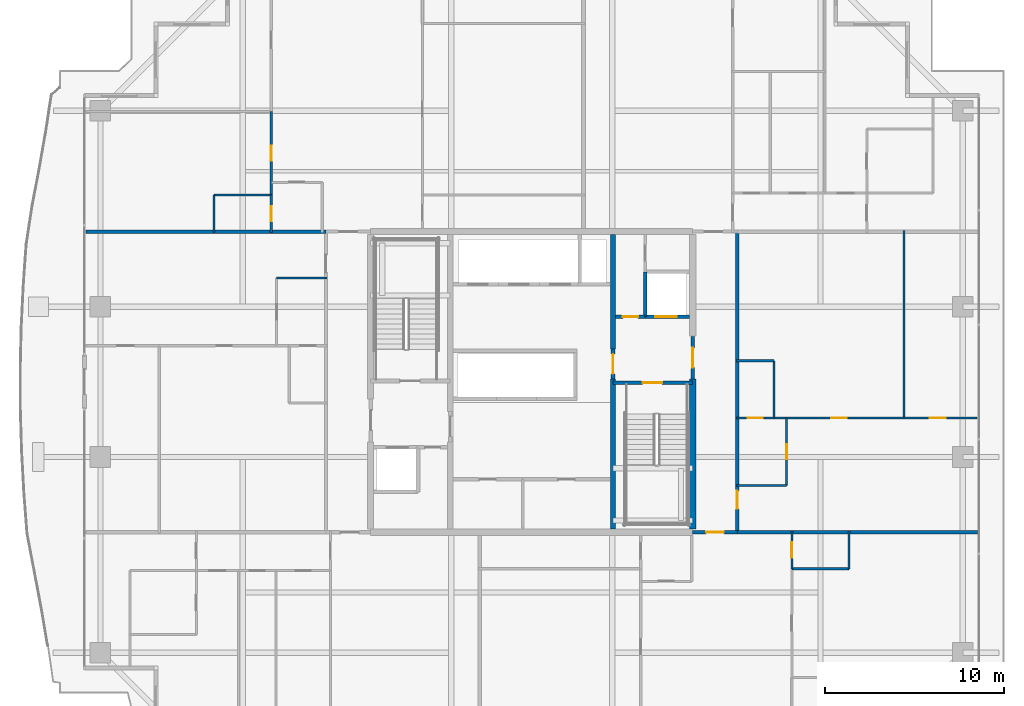
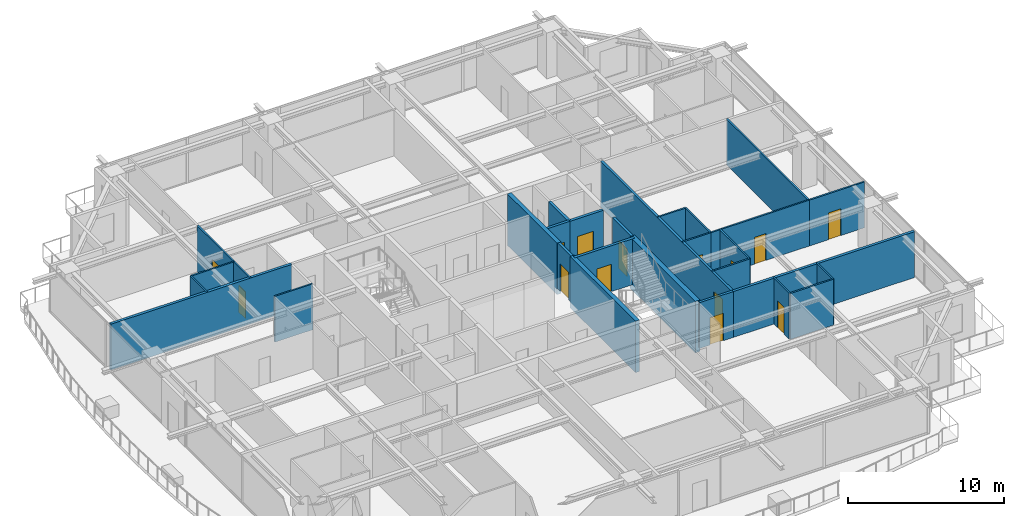
# One storey, part 26 of 35: 29 walls, 14 doors, 14 openings.
"""IFC4 building model written with IfcOpenShell, lengths in metres."""

from ifc_helpers import new_model, si_unit, direction, frame, frame_2d, origin, place, context, subcontext, project, spatial, rectangle, extrude, source, transform, mapped, material, layer, layer_set, type_object, element, fill, save


model = new_model("IFC4")

# Units and contexts
model_context = context("Model", 3, precision=1e-05, world=origin(), true_north=direction((0.0, 1.0)))
body_context = subcontext(model_context, "Body", "Model", "MODEL_VIEW")
ifc_project = project(units=[si_unit("LENGTHUNIT", "METRE"), si_unit("AREAUNIT", "SQUARE_METRE"), si_unit("VOLUMEUNIT", "CUBIC_METRE"), si_unit("PLANEANGLEUNIT", "RADIAN"), si_unit("MASSUNIT", "GRAM", prefix="KILO")], contexts=[model_context])

# Site, building, storey
site_placement = place(None, origin())
site = spatial("IfcSite", under=ifc_project, at=site_placement, CompositionType="ELEMENT")
building_placement = place(site_placement, origin())
building = spatial("IfcBuilding", under=site, at=building_placement, Name="Serunith Strait Residences", CompositionType="ELEMENT")
storey_placement = place(building_placement, frame((0.0, 0.0, 210.449951171875)))
storey = spatial("IfcBuildingStorey", under=building, at=storey_placement, Name="L52", CompositionType="ELEMENT", Elevation=210.449951171875)

# Wall, opening, door
ifc_material_1 = material(Name="Fire-rated acoustic gypsum partition")
ifc_layer_1 = layer(ifc_material_1, 0.179931640625, Name="Fire-rated acoustic gypsum partition")
ifc_layer_set_1 = layer_set([ifc_layer_1], Name="Fire-rated acoustic gypsum partition")
wall_type_1 = type_object("IfcWallType", Name="IW-CORR-180", PredefinedType="PARTITIONING", material=ifc_layer_set_1)
wall_1_placement = place(storey_placement, frame((41.402099609375, 16.800048828125, 0.0), z_axis=(0.0, 0.0, 1.0), x_axis=(1.0, 0.0, 0.0)))
wall_1 = element("IfcWall", 1, at=wall_1_placement, inside=storey, type_object=wall_type_1, Name="L52 Partition Wall 025", PredefinedType="PARTITIONING", context=body_context, shape_type="SweptSolid", body=[
    extrude(rectangle(XDim=2.495849609375, YDim=0.179931640625, at=frame_2d((1.248046875, 0.0))), origin(), (0.0, 0.0, 1.0), 3.590087890625),
])
opening_1_placement = place(wall_1_placement, frame((0.748046875, 0.0, 0.0)))
opening_1 = element("IfcOpeningElement", 2, at=opening_1_placement, cuts=wall_1, Name="Opening D-APT1000", PredefinedType="OPENING", context=body_context, shape_type="SweptSolid", body=[
    extrude(rectangle(XDim=1.0, YDim=2.14990234375, at=frame_2d((0.5, 1.074951171875))), frame((0.0, 0.10009765625, 0.0), z_axis=(0.0, -1.0, 0.0), x_axis=(1.0, 0.0, 0.0)), (0.0, 0.0, 1.0), 0.199951171875),
])
ifc_material_2 = material(Name="Solid timber engineered fire door", Category="wood")
door_type_1 = type_object("IfcDoorType", Name="ID-APT-1000", OperationType="NOTDEFINED", PredefinedType="DOOR", material=ifc_material_2)
shared_shape_1 = source(origin(), body_context, "Body", "SweptSolid", [
    extrude(rectangle(XDim=1.0, YDim=2.14990234375, at=frame_2d((0.5, 1.074951171875))), frame((0.0, 0.02490234375, 0.0), z_axis=(0.0, -1.0, 0.0), x_axis=(1.0, 0.0, 0.0)), (0.0, 0.0, 1.0), 0.050048828125),
])
door_1_placement = place(opening_1_placement, origin())
door_1 = element("IfcDoor", 3, at=door_1_placement, inside=storey, type_object=door_type_1, Name="L52 Unit 02 Entrance Door", OperationType="SINGLE_SWING_RIGHT", OverallHeight=2.14990234375, OverallWidth=1.0, PredefinedType="DOOR", context=body_context, shape_type="MappedRepresentation", body=[
    mapped(shared_shape_1, transform((0.0, 0.0, 0.0), scale=1.0)),
])
fill(opening_1, door_1)

wall_2_placement = place(storey_placement, frame((43.89990234375, 16.800048828125, 0.0), z_axis=(0.0, 0.0, 1.0), x_axis=(0.0, 1.0, 0.0)))
wall_2 = element("IfcWall", 4, at=wall_2_placement, inside=storey, type_object=wall_type_1, Name="L52 Partition Wall 027", PredefinedType="PARTITIONING", context=body_context, shape_type="SweptSolid", body=[
    extrude(rectangle(XDim=16.800048828125, YDim=0.179931640625, at=frame_2d((8.39990234375, 0.0))), origin(), (0.0, 0.0, 1.0), 3.590087890625),
])
opening_2_placement = place(wall_2_placement, frame((1.300048828125, 0.0, 0.0)))
opening_2 = element("IfcOpeningElement", 5, at=opening_2_placement, cuts=wall_2, Name="Opening D-APT1000", PredefinedType="OPENING", context=body_context, shape_type="SweptSolid", body=[
    extrude(rectangle(XDim=1.0, YDim=2.14990234375, at=frame_2d((0.5, 1.074951171875))), frame((0.0, 0.10009765625, 0.0), z_axis=(0.0, -1.0, 0.0), x_axis=(1.0, 0.0, 0.0)), (0.0, 0.0, 1.0), 0.199951171875),
])
door_2_placement = place(opening_2_placement, origin())
door_2 = element("IfcDoor", 6, at=door_2_placement, inside=storey, type_object=door_type_1, Name="L52 Unit 06 Entrance Door", OperationType="SINGLE_SWING_RIGHT", OverallHeight=2.14990234375, OverallWidth=1.0, PredefinedType="DOOR", context=body_context, shape_type="MappedRepresentation", body=[
    mapped(shared_shape_1, transform((0.0, 0.0, 0.0), scale=1.0)),
])
fill(opening_2, door_2)

# Walls
ifc_material_3 = material(Name="Lightweight steel-stud gypsum partition", Category="steel")
ifc_layer_2 = layer(ifc_material_3, 0.1201171875, Name="Lightweight steel-stud gypsum partition")
ifc_layer_set_2 = layer_set([ifc_layer_2], Name="Lightweight steel-stud gypsum partition")
wall_type_2 = type_object("IfcWallType", Name="IW-PART-120", PredefinedType="PARTITIONING", material=ifc_layer_set_2)
wall_3_placement = place(storey_placement, frame((46.949951171875, 14.75, 0.0), z_axis=(0.0, 0.0, 1.0), x_axis=(1.0, 0.0, 0.0)))
element("IfcWall", 7, at=wall_3_placement, inside=storey, type_object=wall_type_2, Name="L52 Partition Wall 051", PredefinedType="PARTITIONING", context=body_context, shape_type="SweptSolid", body=[
    extrude(rectangle(XDim=3.199951171875, YDim=0.1201171875, at=frame_2d((1.60009765625, 0.0))), origin(), (0.0, 0.0, 1.0), 3.590087890625),
])
wall_4_placement = place(storey_placement, frame((50.14990234375, 14.75, 0.0), z_axis=(0.0, 0.0, 1.0), x_axis=(0.0, 1.0, 0.0)))
element("IfcWall", 8, at=wall_4_placement, inside=storey, type_object=wall_type_2, Name="L52 Partition Wall 052", PredefinedType="PARTITIONING", context=body_context, shape_type="SweptSolid", body=[
    extrude(rectangle(XDim=2.110107421875, YDim=0.1201171875, at=frame_2d((1.05517578125, 0.0))), origin(), (0.0, 0.0, 1.0), 3.590087890625),
])

# Wall, opening, door
wall_5_placement = place(storey_placement, frame((46.949951171875, 14.751953125, 0.0), z_axis=(0.0, 0.0, 1.0), x_axis=(0.0, 1.0, 0.0)))
wall_5 = element("IfcWall", 9, at=wall_5_placement, inside=storey, type_object=wall_type_2, Name="L52 Partition Wall 054", PredefinedType="PARTITIONING", context=body_context, shape_type="SweptSolid", body=[
    extrude(rectangle(XDim=2.108154296875, YDim=0.1201171875, at=frame_2d((1.05419921875, 0.0))), origin(), (0.0, 0.0, 1.0), 3.590087890625),
])
opening_3_placement = place(wall_5_placement, frame((0.62890625, 0.0, 0.0)))
opening_3 = element("IfcOpeningElement", 10, at=opening_3_placement, cuts=wall_5, Name="Opening D-BTH850", PredefinedType="OPENING", context=body_context, shape_type="SweptSolid", body=[
    extrude(rectangle(XDim=0.85009765625, YDim=2.10009765625, at=frame_2d((0.425048828125, 1.050048828125))), frame((0.0, 0.070068359375, 0.0), z_axis=(0.0, -1.0, 0.0), x_axis=(1.0, 0.0, 0.0)), (0.0, 0.0, 1.0), 0.14013671875),
])
ifc_material_4 = material(Name="Moisture-resistant timber bathroom door", Category="wood")
door_type_2 = type_object("IfcDoorType", Name="ID-BATH-850", OperationType="NOTDEFINED", PredefinedType="DOOR", material=ifc_material_4)
shared_shape_2 = source(origin(), body_context, "Body", "SweptSolid", [
    extrude(rectangle(XDim=0.85009765625, YDim=2.10009765625, at=frame_2d((0.425048828125, 1.050048828125))), frame((0.0, 0.02490234375, 0.0), z_axis=(0.0, -1.0, 0.0), x_axis=(1.0, 0.0, 0.0)), (0.0, 0.0, 1.0), 0.050048828125),
])
door_3_placement = place(opening_3_placement, origin())
door_3 = element("IfcDoor", 11, at=door_3_placement, inside=storey, type_object=door_type_2, Name="L52 Bathroom 5202 Door", OperationType="SINGLE_SWING_RIGHT", OverallHeight=2.10009765625, OverallWidth=0.85009765625, PredefinedType="DOOR", context=body_context, shape_type="MappedRepresentation", body=[
    mapped(shared_shape_2, transform((0.0, 0.0, 0.0), scale=1.0)),
])
fill(opening_3, door_3)

# Walls
wall_6_placement = place(storey_placement, frame((14.64990234375, 35.64990234375, 0.0), z_axis=(0.0, 0.0, 1.0), x_axis=(1.0, 0.0, 0.0)))
element("IfcWall", 12, at=wall_6_placement, inside=storey, type_object=wall_type_2, Name="L52 Partition Wall 059", PredefinedType="PARTITIONING", context=body_context, shape_type="SweptSolid", body=[
    extrude(rectangle(XDim=3.2001953125, YDim=0.1201171875, at=frame_2d((1.60009765625, 0.0))), origin(), (0.0, 0.0, 1.0), 3.590087890625),
])
wall_7_placement = place(storey_placement, frame((14.64990234375, 35.64990234375, 0.0), z_axis=(0.0, 0.0, 1.0), x_axis=(0.0, -1.0, 0.0)))
element("IfcWall", 13, at=wall_7_placement, inside=storey, type_object=wall_type_2, Name="L52 Partition Wall 060", PredefinedType="PARTITIONING", context=body_context, shape_type="SweptSolid", body=[
    extrude(rectangle(XDim=2.10986328125, YDim=0.1201171875, at=frame_2d((1.054931640625, 0.0))), origin(), (0.0, 0.0, 1.0), 3.590087890625),
])

# Wall, opening, door
wall_8_placement = place(storey_placement, frame((17.85009765625, 40.303955078125, 0.0), z_axis=(0.0, 0.0, 1.0), x_axis=(0.0, -1.0, 0.0)))
wall_8 = element("IfcWall", 14, at=wall_8_placement, inside=storey, type_object=wall_type_2, Name="L52 Partition Wall 061", PredefinedType="PARTITIONING", context=body_context, shape_type="SweptSolid", body=[
    extrude(rectangle(XDim=4.654052734375, YDim=0.1201171875, at=frame_2d((2.3271484375, 0.0))), origin(), (0.0, 0.0, 1.0), 3.590087890625),
])
opening_4_placement = place(wall_8_placement, frame((1.902099609375, 0.0, 0.0)))
opening_4 = element("IfcOpeningElement", 15, at=opening_4_placement, cuts=wall_8, Name="Opening D-RM850", PredefinedType="OPENING", context=body_context, shape_type="SweptSolid", body=[
    extrude(rectangle(XDim=0.85009765625, YDim=2.10009765625, at=frame_2d((0.425048828125, 1.050048828125))), frame((0.0, 0.070068359375, 0.0), z_axis=(0.0, -1.0, 0.0), x_axis=(1.0, 0.0, 0.0)), (0.0, 0.0, 1.0), 0.14013671875),
])
ifc_material_5 = material(Name="Engineered timber flush study and kitchen door", Category="wood")
door_type_3 = type_object("IfcDoorType", Name="ID-ROOM-850", OperationType="NOTDEFINED", PredefinedType="DOOR", material=ifc_material_5)
door_4_placement = place(opening_4_placement, origin())
door_4 = element("IfcDoor", 16, at=door_4_placement, inside=storey, type_object=door_type_3, Name="L52 Walk-in Wardrobe 5203 Door", OperationType="SINGLE_SWING_LEFT", OverallHeight=2.10009765625, OverallWidth=0.85009765625, PredefinedType="DOOR", context=body_context, shape_type="MappedRepresentation", body=[
    mapped(shared_shape_2, transform((0.0, 0.0, 0.0), scale=1.0)),
])
fill(opening_4, door_4)

wall_9_placement = place(storey_placement, frame((17.85009765625, 35.64794921875, 0.0), z_axis=(0.0, 0.0, 1.0), x_axis=(0.0, -1.0, 0.0)))
wall_9 = element("IfcWall", 17, at=wall_9_placement, inside=storey, type_object=wall_type_2, Name="L52 Partition Wall 062", PredefinedType="PARTITIONING", context=body_context, shape_type="SweptSolid", body=[
    extrude(rectangle(XDim=2.10791015625, YDim=0.1201171875, at=frame_2d((1.053955078125, 0.0))), origin(), (0.0, 0.0, 1.0), 3.590087890625),
])
opening_5_placement = place(wall_9_placement, frame((0.62890625, 0.0, 0.0)))
opening_5 = element("IfcOpeningElement", 18, at=opening_5_placement, cuts=wall_9, Name="Opening D-BTH850", PredefinedType="OPENING", context=body_context, shape_type="SweptSolid", body=[
    extrude(rectangle(XDim=0.85009765625, YDim=2.10009765625, at=frame_2d((0.425048828125, 1.050048828125))), frame((0.0, 0.070068359375, 0.0), z_axis=(0.0, -1.0, 0.0), x_axis=(1.0, 0.0, 0.0)), (0.0, 0.0, 1.0), 0.14013671875),
])
door_5_placement = place(opening_5_placement, origin())
door_5 = element("IfcDoor", 19, at=door_5_placement, inside=storey, type_object=door_type_2, Name="L52 Bathroom 5203 Door", OperationType="SINGLE_SWING_RIGHT", OverallHeight=2.10009765625, OverallWidth=0.85009765625, PredefinedType="DOOR", context=body_context, shape_type="MappedRepresentation", body=[
    mapped(shared_shape_2, transform((0.0, 0.0, 0.0), scale=1.0)),
])
fill(opening_5, door_5)

# Wall
wall_10_placement = place(storey_placement, frame((18.14990234375, 31.0, 0.0), z_axis=(0.0, 0.0, 1.0), x_axis=(1.0, 0.0, 0.0)))
element("IfcWall", 20, at=wall_10_placement, inside=storey, type_object=wall_type_2, Name="L52 Partition Wall 083", PredefinedType="PARTITIONING", context=body_context, shape_type="SweptSolid", body=[
    extrude(rectangle(XDim=2.81005859375, YDim=0.1201171875, at=frame_2d((1.405029296875, 0.0))), origin(), (0.0, 0.0, 1.0), 3.590087890625),
])

# Wall, opening, door
wall_11_placement = place(storey_placement, frame((46.64990234375, 19.39990234375, 0.0), z_axis=(0.0, 0.0, 1.0), x_axis=(0.0, 1.0, 0.0)))
wall_11 = element("IfcWall", 21, at=wall_11_placement, inside=storey, type_object=wall_type_2, Name="L52 Partition Wall 090", PredefinedType="PARTITIONING", context=body_context, shape_type="SweptSolid", body=[
    extrude(rectangle(XDim=3.780029296875, YDim=0.1201171875, at=frame_2d((1.89013671875, 0.0))), origin(), (0.0, 0.0, 1.0), 3.590087890625),
])
opening_6_placement = place(wall_11_placement, frame((1.465087890625, 0.0, 0.0)))
opening_6 = element("IfcOpeningElement", 22, at=opening_6_placement, cuts=wall_11, Name="Opening D-RM850", PredefinedType="OPENING", context=body_context, shape_type="SweptSolid", body=[
    extrude(rectangle(XDim=0.85009765625, YDim=2.10009765625, at=frame_2d((0.425048828125, 1.050048828125))), frame((0.0, 0.070068359375, 0.0), z_axis=(0.0, -1.0, 0.0), x_axis=(1.0, 0.0, 0.0)), (0.0, 0.0, 1.0), 0.14013671875),
])
door_6_placement = place(opening_6_placement, origin())
door_6 = element("IfcDoor", 23, at=door_6_placement, inside=storey, type_object=door_type_3, Name="L52 Kitchen 5206 Door", OperationType="SINGLE_SWING_LEFT", OverallHeight=2.10009765625, OverallWidth=0.85009765625, PredefinedType="DOOR", context=body_context, shape_type="MappedRepresentation", body=[
    mapped(shared_shape_2, transform((0.0, 0.0, 0.0), scale=1.0)),
])
fill(opening_6, door_6)

# Wall
wall_12_placement = place(storey_placement, frame((46.64990234375, 19.39990234375, 0.0), z_axis=(0.0, 0.0, 1.0), x_axis=(-1.0, 0.0, 0.0)))
element("IfcWall", 24, at=wall_12_placement, inside=storey, type_object=wall_type_2, Name="L52 Partition Wall 091", PredefinedType="PARTITIONING", context=body_context, shape_type="SweptSolid", body=[
    extrude(rectangle(XDim=2.809814453125, YDim=0.1201171875, at=frame_2d((1.40478515625, 0.0))), origin(), (0.0, 0.0, 1.0), 3.590087890625),
])

# Wall, opening, door
wall_13_placement = place(storey_placement, frame((57.304931640625, 23.179931640625, 0.0), z_axis=(0.0, 0.0, 1.0), x_axis=(-1.0, 0.0, 0.0)))
wall_13 = element("IfcWall", 25, at=wall_13_placement, inside=storey, type_object=wall_type_2, Name="L52 Partition Wall 092", PredefinedType="PARTITIONING", context=body_context, shape_type="SweptSolid", body=[
    extrude(rectangle(XDim=4.0888671875, YDim=0.1201171875, at=frame_2d((2.04443359375, 0.0))), origin(), (0.0, 0.0, 1.0), 3.590087890625),
])
opening_7_placement = place(wall_13_placement, frame((1.75390625, 0.0, 0.0)))
opening_7 = element("IfcOpeningElement", 26, at=opening_7_placement, cuts=wall_13, Name="Opening D-RM900", PredefinedType="OPENING", context=body_context, shape_type="SweptSolid", body=[
    extrude(rectangle(XDim=0.89990234375, YDim=2.10009765625, at=frame_2d((0.449951171875, 1.050048828125))), frame((0.0, 0.070068359375, 0.0), z_axis=(0.0, -1.0, 0.0), x_axis=(1.0, 0.0, 0.0)), (0.0, 0.0, 1.0), 0.14013671875),
])
ifc_material_6 = material(Name="Engineered timber flush bedroom door", Category="wood")
door_type_4 = type_object("IfcDoorType", Name="ID-ROOM-900", OperationType="NOTDEFINED", PredefinedType="DOOR", material=ifc_material_6)
shared_shape_3 = source(origin(), body_context, "Body", "SweptSolid", [
    extrude(rectangle(XDim=0.89990234375, YDim=2.10009765625, at=frame_2d((0.449951171875, 1.050048828125))), frame((0.0, 0.02490234375, 0.0), z_axis=(0.0, -1.0, 0.0), x_axis=(1.0, 0.0, 0.0)), (0.0, 0.0, 1.0), 0.050048828125),
])
door_7_placement = place(opening_7_placement, origin())
door_7 = element("IfcDoor", 27, at=door_7_placement, inside=storey, type_object=door_type_4, Name="L52 Master Bedroom 1 5206 Door", OperationType="SINGLE_SWING_RIGHT", OverallHeight=2.10009765625, OverallWidth=0.89990234375, PredefinedType="DOOR", context=body_context, shape_type="MappedRepresentation", body=[
    mapped(shared_shape_3, transform((0.0, 0.0, 0.0), scale=1.0)),
])
fill(opening_7, door_7)

# Walls
wall_14_placement = place(storey_placement, frame((53.216064453125, 23.179931640625, 0.0), z_axis=(0.0, 0.0, 1.0), x_axis=(0.0, 1.0, 0.0)))
element("IfcWall", 28, at=wall_14_placement, inside=storey, type_object=wall_type_2, Name="L52 Partition Wall 093", PredefinedType="PARTITIONING", context=body_context, shape_type="SweptSolid", body=[
    extrude(rectangle(XDim=10.47998046875, YDim=0.1201171875, at=frame_2d((5.239990234375, 0.0))), origin(), (0.0, 0.0, 1.0), 3.590087890625),
])
wall_15_placement = place(storey_placement, frame((45.949951171875, 23.179931640625, 0.0), z_axis=(0.0, 0.0, 1.0), x_axis=(0.0, 1.0, 0.0)))
element("IfcWall", 29, at=wall_15_placement, inside=storey, type_object=wall_type_2, Name="L52 Partition Wall 094", PredefinedType="PARTITIONING", context=body_context, shape_type="SweptSolid", body=[
    extrude(rectangle(XDim=3.199951171875, YDim=0.1201171875, at=frame_2d((1.60009765625, 0.0))), origin(), (0.0, 0.0, 1.0), 3.590087890625),
])
wall_16_placement = place(storey_placement, frame((45.949951171875, 26.3798828125, 0.0), z_axis=(0.0, 0.0, 1.0), x_axis=(-1.0, 0.0, 0.0)))
element("IfcWall", 30, at=wall_16_placement, inside=storey, type_object=wall_type_2, Name="L52 Partition Wall 095", PredefinedType="PARTITIONING", context=body_context, shape_type="SweptSolid", body=[
    extrude(rectangle(XDim=2.10986328125, YDim=0.1201171875, at=frame_2d((1.054931640625, 0.0))), origin(), (0.0, 0.0, 1.0), 3.590087890625),
])

# Wall, opening, door
wall_17_placement = place(storey_placement, frame((53.214111328125, 23.179931640625, 0.0), z_axis=(0.0, 0.0, 1.0), x_axis=(-1.0, 0.0, 0.0)))
wall_17 = element("IfcWall", 31, at=wall_17_placement, inside=storey, type_object=wall_type_2, Name="L52 Partition Wall 096", PredefinedType="PARTITIONING", context=body_context, shape_type="SweptSolid", body=[
    extrude(rectangle(XDim=7.26416015625, YDim=0.1201171875, at=frame_2d((3.632080078125, 0.0))), origin(), (0.0, 0.0, 1.0), 3.590087890625),
])
opening_8_placement = place(wall_17_placement, frame((3.20703125, 0.0, 0.0)))
opening_8 = element("IfcOpeningElement", 32, at=opening_8_placement, cuts=wall_17, Name="Opening D-RM850", PredefinedType="OPENING", context=body_context, shape_type="SweptSolid", body=[
    extrude(rectangle(XDim=0.85009765625, YDim=2.10009765625, at=frame_2d((0.425048828125, 1.050048828125))), frame((0.0, 0.070068359375, 0.0), z_axis=(0.0, -1.0, 0.0), x_axis=(1.0, 0.0, 0.0)), (0.0, 0.0, 1.0), 0.14013671875),
])
door_8_placement = place(opening_8_placement, origin())
door_8 = element("IfcDoor", 33, at=door_8_placement, inside=storey, type_object=door_type_3, Name="L52 Walk-in Wardrobe 5206 Door", OperationType="SINGLE_SWING_LEFT", OverallHeight=2.10009765625, OverallWidth=0.85009765625, PredefinedType="DOOR", context=body_context, shape_type="MappedRepresentation", body=[
    mapped(shared_shape_2, transform((0.0, 0.0, 0.0), scale=1.0)),
])
fill(opening_8, door_8)

wall_18_placement = place(storey_placement, frame((45.947998046875, 23.179931640625, 0.0), z_axis=(0.0, 0.0, 1.0), x_axis=(-1.0, 0.0, 0.0)))
wall_18 = element("IfcWall", 34, at=wall_18_placement, inside=storey, type_object=wall_type_2, Name="L52 Partition Wall 097", PredefinedType="PARTITIONING", context=body_context, shape_type="SweptSolid", body=[
    extrude(rectangle(XDim=2.10791015625, YDim=0.1201171875, at=frame_2d((1.053955078125, 0.0))), origin(), (0.0, 0.0, 1.0), 3.590087890625),
])
opening_9_placement = place(wall_18_placement, frame((0.62890625, 0.0, 0.0)))
opening_9 = element("IfcOpeningElement", 35, at=opening_9_placement, cuts=wall_18, Name="Opening D-BTH850", PredefinedType="OPENING", context=body_context, shape_type="SweptSolid", body=[
    extrude(rectangle(XDim=0.85009765625, YDim=2.10009765625, at=frame_2d((0.425048828125, 1.050048828125))), frame((0.0, 0.070068359375, 0.0), z_axis=(0.0, -1.0, 0.0), x_axis=(1.0, 0.0, 0.0)), (0.0, 0.0, 1.0), 0.14013671875),
])
door_9_placement = place(opening_9_placement, origin())
door_9 = element("IfcDoor", 36, at=door_9_placement, inside=storey, type_object=door_type_2, Name="L52 Bathroom 5206 Door", OperationType="SINGLE_SWING_RIGHT", OverallHeight=2.10009765625, OverallWidth=0.85009765625, PredefinedType="DOOR", context=body_context, shape_type="MappedRepresentation", body=[
    mapped(shared_shape_2, transform((0.0, 0.0, 0.0), scale=1.0)),
])
fill(opening_9, door_9)

# Walls
ifc_material_7 = material(Name="Twin-stud acoustic gypsum board partition")
ifc_layer_3 = layer(ifc_material_7, 0.199951171875, Name="Twin-stud acoustic gypsum board partition")
ifc_layer_set_3 = layer_set([ifc_layer_3], Name="Twin-stud acoustic gypsum board partition")
wall_type_3 = type_object("IfcWallType", Name="IW-PARTY-200", PredefinedType="PARTITIONING", material=ifc_layer_set_3)
wall_19_placement = place(storey_placement, frame((43.89990234375, 16.800048828125, 0.0), z_axis=(0.0, 0.0, 1.0), x_axis=(1.0, 0.0, 0.0)))
element("IfcWall", 37, at=wall_19_placement, inside=storey, type_object=wall_type_3, Name="L52 Partition Wall 019", PredefinedType="PARTITIONING", context=body_context, shape_type="SweptSolid", body=[
    extrude(rectangle(XDim=13.418212890625, YDim=0.199951171875, at=frame_2d((6.708984375, 0.0))), origin(), (0.0, 0.0, 1.0), 3.590087890625),
])
wall_20_placement = place(storey_placement, frame((7.48193359375, 33.60009765625, 0.0), z_axis=(0.0, 0.0, 1.0), x_axis=(1.0, 0.0, 0.0)))
element("IfcWall", 38, at=wall_20_placement, inside=storey, type_object=wall_type_3, Name="L52 Partition Wall 020", PredefinedType="PARTITIONING", context=body_context, shape_type="SweptSolid", body=[
    extrude(rectangle(XDim=13.41796875, YDim=0.199951171875, at=frame_2d((6.708984375, 0.0))), origin(), (0.0, 0.0, 1.0), 3.590087890625),
])

# Wall, opening, door
ifc_material_8 = material(Name="Autoclaved aerated concrete blockwork", Category="masonry")
ifc_layer_4 = layer(ifc_material_8, 0.199951171875, Name="Autoclaved aerated concrete blockwork")
ifc_layer_set_4 = layer_set([ifc_layer_4], Name="Autoclaved aerated concrete blockwork")
wall_type_4 = type_object("IfcWallType", Name="IW-SHAFT-200", PredefinedType="STANDARD", material=ifc_layer_set_4)
wall_21_placement = place(storey_placement, frame((36.949951171875, 25.14990234375, 0.0), z_axis=(0.0, 0.0, 1.0), x_axis=(1.0, 0.0, 0.0)))
wall_21 = element("IfcWall", 39, at=wall_21_placement, inside=storey, type_object=wall_type_4, Name="L52 ST-2 North Shaft Wall", PredefinedType="STANDARD", context=body_context, shape_type="SweptSolid", body=[
    extrude(rectangle(XDim=4.449951171875, YDim=0.199951171875, at=frame_2d((2.22509765625, 0.0))), origin(), (0.0, 0.0, 1.0), 3.590087890625),
])
opening_10_placement = place(wall_21_placement, frame((1.64990234375, 0.0, 0.0)))
opening_10 = element("IfcOpeningElement", 40, at=opening_10_placement, cuts=wall_21, Name="Opening FD-1100", PredefinedType="OPENING", context=body_context, shape_type="SweptSolid", body=[
    extrude(rectangle(XDim=1.10009765625, YDim=2.14990234375, at=frame_2d((0.550048828125, 1.074951171875))), frame((0.0, 0.10986328125, 0.0), z_axis=(0.0, -1.0, 0.0), x_axis=(1.0, 0.0, 0.0)), (0.0, 0.0, 1.0), 0.219970703125),
])
ifc_material_9 = material(Name="Galvanised steel fire door leaf", Category="steel")
door_type_5 = type_object("IfcDoorType", Name="FD-STAIR-1100", OperationType="NOTDEFINED", PredefinedType="DOOR", material=ifc_material_9)
shared_shape_4 = source(origin(), body_context, "Body", "SweptSolid", [
    extrude(rectangle(XDim=1.10009765625, YDim=2.14990234375, at=frame_2d((0.550048828125, 1.074951171875))), frame((0.0, 0.02490234375, 0.0), z_axis=(0.0, -1.0, 0.0), x_axis=(1.0, 0.0, 0.0)), (0.0, 0.0, 1.0), 0.050048828125),
])
door_10_placement = place(opening_10_placement, origin())
door_10 = element("IfcDoor", 41, at=door_10_placement, inside=storey, type_object=door_type_5, Name="L52 ST-2 Escape Stair Door", OperationType="SINGLE_SWING_LEFT", OverallHeight=2.14990234375, OverallWidth=1.10009765625, PredefinedType="DOOR", context=body_context, shape_type="MappedRepresentation", body=[
    mapped(shared_shape_4, transform((0.0, 0.0, 0.0), scale=1.0)),
])
fill(opening_10, door_10)

wall_22_placement = place(storey_placement, frame((38.75, 28.85009765625, 0.0), z_axis=(0.0, 0.0, 1.0), x_axis=(1.0, 0.0, 0.0)))
wall_22 = element("IfcWall", 42, at=wall_22_placement, inside=storey, type_object=wall_type_4, Name="L52 FL-2 South Shaft Wall", PredefinedType="STANDARD", context=body_context, shape_type="SweptSolid", body=[
    extrude(rectangle(XDim=2.47509765625, YDim=0.199951171875, at=frame_2d((1.237548828125, 0.0))), origin(), (0.0, 0.0, 1.0), 3.590087890625),
])
opening_11_placement = place(wall_22_placement, frame((0.550048828125, 0.0, 0.0)))
opening_11 = element("IfcOpeningElement", 43, at=opening_11_placement, cuts=wall_22, Name="Opening LD-FF1200", PredefinedType="OPENING", context=body_context, shape_type="SweptSolid", body=[
    extrude(rectangle(XDim=1.199951171875, YDim=2.199951171875, at=frame_2d((0.60009765625, 1.10009765625))), frame((0.0, 0.10986328125, 0.0), z_axis=(0.0, -1.0, 0.0), x_axis=(1.0, 0.0, 0.0)), (0.0, 0.0, 1.0), 0.219970703125),
])
ifc_material_10 = material(Name="Brushed stainless steel landing door", Category="steel")
door_type_6 = type_object("IfcDoorType", Name="LD-FF-1200", OperationType="DOUBLE_DOOR_SLIDING", PredefinedType="DOOR", material=ifc_material_10)
shared_shape_5 = source(origin(), body_context, "Body", "SweptSolid", [
    extrude(rectangle(XDim=1.199951171875, YDim=2.199951171875, at=frame_2d((0.60009765625, 1.10009765625))), frame((0.0, 0.02490234375, 0.0), z_axis=(0.0, -1.0, 0.0), x_axis=(1.0, 0.0, 0.0)), (0.0, 0.0, 1.0), 0.050048828125),
])
door_11_placement = place(opening_11_placement, origin())
door_11 = element("IfcDoor", 44, at=door_11_placement, inside=storey, type_object=door_type_6, Name="L52 FL-2 Landing Door", OperationType="DOUBLE_DOOR_SLIDING", OverallHeight=2.199951171875, OverallWidth=1.199951171875, PredefinedType="DOOR", context=body_context, shape_type="MappedRepresentation", body=[
    mapped(shared_shape_5, transform((0.0, 0.0, 0.0), scale=1.0)),
])
fill(opening_11, door_11)

# Wall
wall_23_placement = place(storey_placement, frame((38.75, 28.85009765625, 0.0), z_axis=(0.0, 0.0, 1.0), x_axis=(0.0, 1.0, 0.0)))
element("IfcWall", 45, at=wall_23_placement, inside=storey, type_object=wall_type_4, Name="L52 Partition Wall 004", PredefinedType="STANDARD", context=body_context, shape_type="SweptSolid", body=[
    extrude(rectangle(XDim=2.5, YDim=0.199951171875, at=frame_2d((1.25, 0.0))), origin(), (0.0, 0.0, 1.0), 3.590087890625),
])

# Wall, opening, door
wall_24_placement = place(storey_placement, frame((37.10009765625, 28.85009765625, 0.0), z_axis=(0.0, 0.0, 1.0), x_axis=(1.0, 0.0, 0.0)))
wall_24 = element("IfcWall", 46, at=wall_24_placement, inside=storey, type_object=wall_type_4, Name="L52 Partition Wall 006", PredefinedType="STANDARD", context=body_context, shape_type="SweptSolid", body=[
    extrude(rectangle(XDim=1.64794921875, YDim=0.199951171875, at=frame_2d((0.823974609375, 0.0))), origin(), (0.0, 0.0, 1.0), 3.590087890625),
])
opening_12_placement = place(wall_24_placement, frame((0.39892578125, 0.0, 0.0)))
opening_12 = element("IfcOpeningElement", 47, at=opening_12_placement, cuts=wall_24, Name="Opening FD-850", PredefinedType="OPENING", context=body_context, shape_type="SweptSolid", body=[
    extrude(rectangle(XDim=0.85009765625, YDim=2.10009765625, at=frame_2d((0.425048828125, 1.050048828125))), frame((0.0, 0.10986328125, 0.0), z_axis=(0.0, -1.0, 0.0), x_axis=(1.0, 0.0, 0.0)), (0.0, 0.0, 1.0), 0.219970703125),
])
ifc_material_11 = material(Name="Powder-coated steel service closet door", Category="steel")
door_type_7 = type_object("IfcDoorType", Name="FD-BOH-850", OperationType="NOTDEFINED", PredefinedType="DOOR", material=ifc_material_11)
door_12_placement = place(opening_12_placement, origin())
door_12 = element("IfcDoor", 48, at=door_12_placement, inside=storey, type_object=door_type_7, Name="L52 North-East Core Service Door", OperationType="SINGLE_SWING_LEFT", OverallHeight=2.10009765625, OverallWidth=0.85009765625, PredefinedType="DOOR", context=body_context, shape_type="MappedRepresentation", body=[
    mapped(shared_shape_2, transform((0.0, 0.0, 0.0), scale=1.0)),
])
fill(opening_12, door_12)

wall_25_placement = place(storey_placement, frame((41.39990234375, 25.35205078125, 0.0), z_axis=(0.0, 0.0, 1.0), x_axis=(0.0, 1.0, 0.0)))
wall_25 = element("IfcWall", 49, at=wall_25_placement, inside=storey, type_object=wall_type_4, Name="L52 Partition Wall 008", PredefinedType="STANDARD", context=body_context, shape_type="SweptSolid", body=[
    extrude(rectangle(XDim=2.39599609375, YDim=0.199951171875, at=frame_2d((1.197998046875, 0.0))), origin(), (0.0, 0.0, 1.0), 3.590087890625),
])
opening_13_placement = place(wall_25_placement, frame((0.64794921875, 0.0, 0.0)))
opening_13 = element("IfcOpeningElement", 50, at=opening_13_placement, cuts=wall_25, Name="Opening FD-FFL", PredefinedType="OPENING", context=body_context, shape_type="SweptSolid", body=[
    extrude(rectangle(XDim=1.10009765625, YDim=2.14990234375, at=frame_2d((0.550048828125, 1.074951171875))), frame((0.0, 0.10986328125, 0.0), z_axis=(0.0, -1.0, 0.0), x_axis=(1.0, 0.0, 0.0)), (0.0, 0.0, 1.0), 0.219970703125),
])
ifc_material_12 = material(Name="Glazed steel smoke-lobby fire door", Category="steel")
door_type_8 = type_object("IfcDoorType", Name="FD-FFL-1100", OperationType="NOTDEFINED", PredefinedType="DOOR", material=ifc_material_12)
door_13_placement = place(opening_13_placement, origin())
door_13 = element("IfcDoor", 51, at=door_13_placement, inside=storey, type_object=door_type_8, Name="L52 FFL-2 Corridor Fire Door", OperationType="SINGLE_SWING_LEFT", OverallHeight=2.14990234375, OverallWidth=1.10009765625, PredefinedType="DOOR", context=body_context, shape_type="MappedRepresentation", body=[
    mapped(shared_shape_4, transform((0.0, 0.0, 0.0), scale=1.0)),
])
fill(opening_13, door_13)

wall_26_placement = place(storey_placement, frame((36.949951171875, 25.35205078125, 0.0), z_axis=(0.0, 0.0, 1.0), x_axis=(0.0, 1.0, 0.0)))
wall_26 = element("IfcWall", 52, at=wall_26_placement, inside=storey, type_object=wall_type_4, Name="L52 Partition Wall 010", PredefinedType="STANDARD", context=body_context, shape_type="SweptSolid", body=[
    extrude(rectangle(XDim=1.696044921875, YDim=0.199951171875, at=frame_2d((0.84814453125, 0.0))), origin(), (0.0, 0.0, 1.0), 3.590087890625),
])
opening_14_placement = place(wall_26_placement, frame((0.298095703125, 0.0, 0.0)))
opening_14 = element("IfcOpeningElement", 53, at=opening_14_placement, cuts=wall_26, Name="Opening FD-FFL", PredefinedType="OPENING", context=body_context, shape_type="SweptSolid", body=[
    extrude(rectangle(XDim=1.10009765625, YDim=2.14990234375, at=frame_2d((0.550048828125, 1.074951171875))), frame((0.0, 0.10986328125, 0.0), z_axis=(0.0, -1.0, 0.0), x_axis=(1.0, 0.0, 0.0)), (0.0, 0.0, 1.0), 0.219970703125),
])
door_14_placement = place(opening_14_placement, origin())
door_14 = element("IfcDoor", 54, at=door_14_placement, inside=storey, type_object=door_type_8, Name="L52 FFL-2 Lift Lobby Door", OperationType="SINGLE_SWING_LEFT", OverallHeight=2.14990234375, OverallWidth=1.10009765625, PredefinedType="DOOR", context=body_context, shape_type="MappedRepresentation", body=[
    mapped(shared_shape_4, transform((0.0, 0.0, 0.0), scale=1.0)),
])
fill(opening_14, door_14)

# Walls
ifc_material_13 = material(Name="Concrete C60/75", Category="concrete")
ifc_layer_5 = layer(ifc_material_13, 0.300048828125, Name="Concrete C60/75")
ifc_layer_set_5 = layer_set([ifc_layer_5], Name="Concrete C60/75")
wall_type_5 = type_object("IfcWallType", Name="SW-300-C60", PredefinedType="SHEAR", material=ifc_layer_set_5)
wall_27_placement = place(storey_placement, frame((36.949951171875, 16.97509765625, -0.43994140625), z_axis=(0.0, 0.0, 1.0), x_axis=(0.0, 1.0, 0.0)))
element("IfcWall", 55, at=wall_27_placement, inside=storey, type_object=wall_type_5, Name="L52 Core Internal East Web South Pier", PredefinedType="SHEAR", context=body_context, shape_type="SweptSolid", body=[
    extrude(rectangle(XDim=8.375, YDim=0.300048828125, at=frame_2d((4.1875, 0.0))), origin(), (0.0, 0.0, 1.0), 4.028076171875),
])
wall_28_placement = place(storey_placement, frame((36.949951171875, 27.050048828125, -0.43994140625), z_axis=(0.0, 0.0, 1.0), x_axis=(0.0, 1.0, 0.0)))
element("IfcWall", 56, at=wall_28_placement, inside=storey, type_object=wall_type_5, Name="L52 Core Internal East Web North Pier", PredefinedType="SHEAR", context=body_context, shape_type="SweptSolid", body=[
    extrude(rectangle(XDim=6.375, YDim=0.300048828125, at=frame_2d((3.1875, 0.0))), origin(), (0.0, 0.0, 1.0), 4.028076171875),
])
ifc_layer_6 = layer(ifc_material_13, 0.35009765625, Name="Concrete C60/75")
ifc_layer_set_6 = layer_set([ifc_layer_6], Name="Concrete C60/75")
wall_type_6 = type_object("IfcWallType", Name="SW-350-C60", PredefinedType="SHEAR", material=ifc_layer_set_6)
wall_29_placement = place(storey_placement, frame((41.39990234375, 16.97509765625, -0.43994140625), z_axis=(0.0, 0.0, 1.0), x_axis=(0.0, 1.0, 0.0)))
element("IfcWall", 57, at=wall_29_placement, inside=storey, type_object=wall_type_6, Name="L52 Core East Shear Wall South Pier", PredefinedType="SHEAR", context=body_context, shape_type="SweptSolid", body=[
    extrude(rectangle(XDim=8.375, YDim=0.35009765625, at=frame_2d((4.1875, 0.0))), origin(), (0.0, 0.0, 1.0), 4.028076171875),
])

save(model, "model.ifc")
